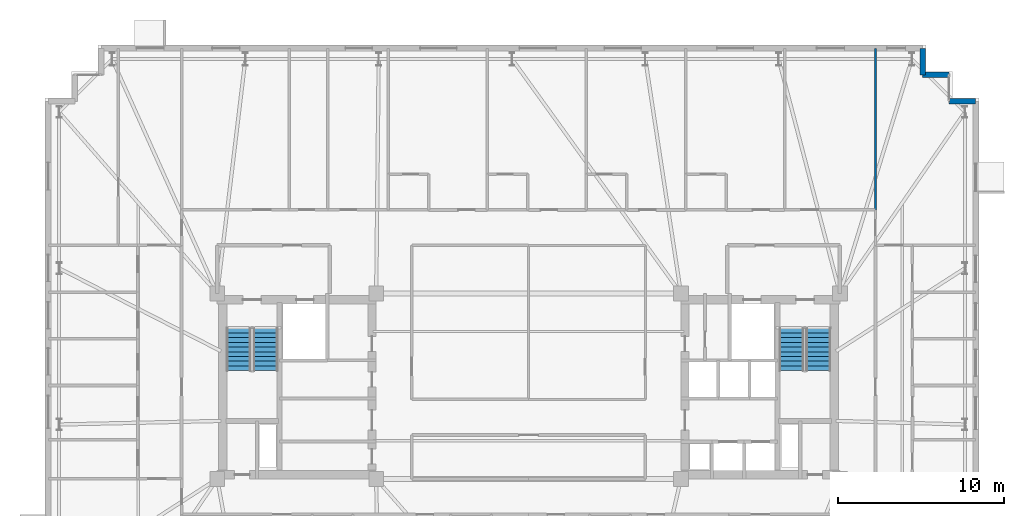
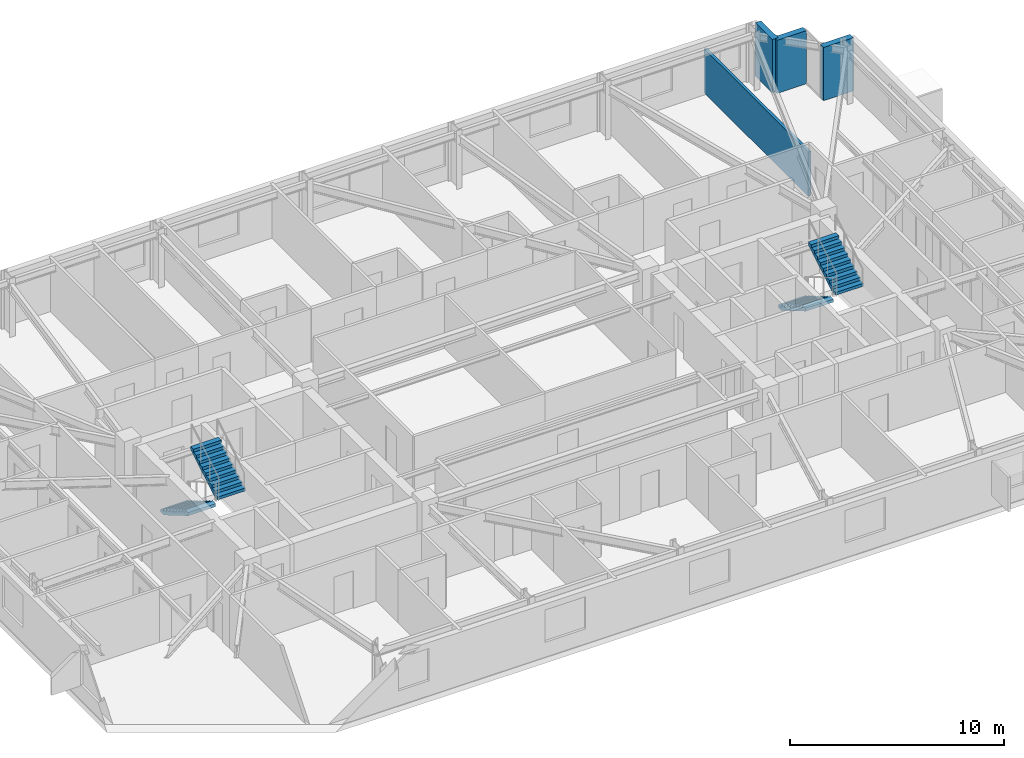
# One storey, part 16 of 18: 4 stair flights, 4 walls, 2 elements without a shape of their own.
"""IFC4 building model written with IfcOpenShell, lengths in metres."""

from ifc_helpers import new_model, si_unit, direction, frame, frame_2d, origin, place, context, subcontext, project, spatial, polyline, rectangle, outline, extrude, material, layer, layer_set, type_object, element, aggregate, save


model = new_model("IFC4")

# Units and contexts
model_context = context("Model", 3, precision=1e-05, world=origin(), true_north=direction((0.0, 1.0)))
body_context = subcontext(model_context, "Body", "Model", "MODEL_VIEW")
ifc_project = project(units=[si_unit("LENGTHUNIT", "METRE"), si_unit("AREAUNIT", "SQUARE_METRE"), si_unit("VOLUMEUNIT", "CUBIC_METRE"), si_unit("PLANEANGLEUNIT", "RADIAN"), si_unit("MASSUNIT", "GRAM", prefix="KILO")], contexts=[model_context])

# Site, building, storey
site_placement = place(None, origin())
site = spatial("IfcSite", under=ifc_project, at=site_placement, CompositionType="ELEMENT")
building_placement = place(site_placement, origin())
building = spatial("IfcBuilding", under=site, at=building_placement, Name="Qobustan Lattice House", CompositionType="ELEMENT")
storey_placement = place(building_placement, frame((0.0, 0.0, 141.050048828125)))
storey = spatial("IfcBuildingStorey", under=building, at=storey_placement, Name="L39", CompositionType="ELEMENT", Elevation=141.050048828125)

# Walls
ifc_material_1 = material(Name="Precast concrete C40/50", Category="concrete")
ifc_layer_1 = layer(ifc_material_1, 0.320068359375)
ifc_layer_set_1 = layer_set([ifc_layer_1], Name="Precast concrete C40/50")
wall_type_1 = type_object("IfcWallType", Name="WAL-EXT-STONE-320", PredefinedType="SOLIDWALL", material=ifc_layer_set_1)
for number, where, z_axis, x_axis, name in (
    (1, (23.800048828125, 20.39990234375, 0.0), (0.0, 0.0, 1.0), (0.0, -1.0, 0.0), "L39 exterior limestone-clad wall 11"),
    (2, (23.800048828125, 18.800048828125, 0.0), (0.0, 0.0, 1.0), (1.0, 0.0, 0.0), "L39 exterior limestone-clad wall 12"),
):
    element("IfcWall", number, at=place(storey_placement, frame(where, z_axis=z_axis, x_axis=x_axis)), inside=storey, type_object=wall_type_1, Name=name, PredefinedType="SOLIDWALL", context=body_context, shape_type="SweptSolid", body=[
        extrude(rectangle(XDim=1.599853515625, YDim=0.320068359375, at=frame_2d((0.7998046875, 0.0))), origin(), (0.0, 0.0, 1.0), 3.0400390625),
    ])
wall_1_placement = place(storey_placement, frame((25.39990234375, 17.199951171875, 0.0), z_axis=(0.0, 0.0, 1.0), x_axis=(1.0, 0.0, 0.0)))
element("IfcWall", 3, at=wall_1_placement, inside=storey, type_object=wall_type_1, Name="L39 exterior limestone-clad wall 14", PredefinedType="SOLIDWALL", context=body_context, shape_type="SweptSolid", body=[
    extrude(rectangle(XDim=1.60009765625, YDim=0.320068359375, at=frame_2d((0.800048828125, 0.0))), origin(), (0.0, 0.0, 1.0), 3.0400390625),
])
ifc_material_2 = material(Name="Acoustic twin-stud gypsum partition", Category="gypsum")
ifc_layer_2 = layer(ifc_material_2, 0.14990234375)
ifc_layer_set_2 = layer_set([ifc_layer_2], Name="Acoustic twin-stud gypsum partition")
wall_type_2 = type_object("IfcWallType", Name="WAL-PART-150", PredefinedType="PARTITIONING", material=ifc_layer_set_2)
wall_2_placement = place(storey_placement, frame((20.949951171875, 10.64990234375, 0.0), z_axis=(0.0, 0.0, 1.0), x_axis=(0.0, 1.0, 0.0)))
element("IfcWall", 4, at=wall_2_placement, inside=storey, type_object=wall_type_2, Name="L39 interior partition 94", PredefinedType="PARTITIONING", context=body_context, shape_type="SweptSolid", body=[
    extrude(rectangle(XDim=9.75, YDim=0.14990234375, at=frame_2d((4.875, 0.0))), origin(), (0.0, 0.0, 1.0), 2.52490234375),
])

# Stair, stair flights
ifc_material_3 = material(Name="Concrete C40/50", Category="concrete")
stair_type = type_object("IfcStairType", Name="STR-CORE-DOGLEG", PredefinedType="HALF_TURN_STAIR", material=ifc_material_3)
stair_1_placement = place(storey_placement, origin())
stair_1 = element("IfcStair", 5, at=stair_1_placement, inside=storey, type_object=stair_type, Name="L39 West protected exit stair ST-W1", PredefinedType="HALF_TURN_STAIR")
ifc_material_4 = material(Name="Concrete C40/50", Category="concrete")
stair_flight_type = type_object("IfcStairFlightType", Name="SFL-RC-1500", PredefinedType="STRAIGHT", material=ifc_material_4)
stair_flight_1_placement = place(storey_placement, frame((-17.5, 3.5, 0.0), z_axis=(0.0, 0.0, 1.0), x_axis=(0.0, -1.0, 0.0)))
stair_flight_1 = element("IfcStairFlight", 6, at=stair_flight_1_placement, type_object=stair_flight_type, Name="ST-W1 flight 1", NumberOfRisers=10, NumberOfTreads=9, PredefinedType="STRAIGHT", RiserHeight=0.1675, TreadLength=0.285, context=body_context, shape_type="SweptSolid", body=[
    extrude(outline(polyline([(0.0, 0.0), (0.0, 0.16748046875), (0.284912109375, 0.16748046875), (0.284912109375, 0.3349609375), (0.570068359375, 0.3349609375), (0.570068359375, 0.50244140625), (0.85498046875, 0.50244140625), (0.85498046875, 0.669921875), (1.139892578125, 0.669921875), (1.139892578125, 0.83740234375), (1.425048828125, 0.83740234375), (1.425048828125, 1.0048828125), (1.7099609375, 1.0048828125), (1.7099609375, 1.172607421875), (1.9951171875, 1.172607421875), (1.9951171875, 1.340087890625), (2.280029296875, 1.340087890625), (2.280029296875, 1.507568359375), (2.56494140625, 1.507568359375), (2.56494140625, 1.675048828125), (2.56494140625, 1.333740234375), (0.2958984375, 0.0), (0.0, 0.0)])), frame((0.0, 0.75, 0.0), z_axis=(0.0, -1.0, 0.0), x_axis=(1.0, 0.0, 0.0)), (0.0, 0.0, 1.0), 1.5),
])
stair_flight_2_placement = place(storey_placement, frame((-15.8798828125, 0.93505859375, 1.675048828125), z_axis=(0.0, 0.0, 1.0), x_axis=(0.0, 1.0, 0.0)))
stair_flight_2 = element("IfcStairFlight", 7, at=stair_flight_2_placement, type_object=stair_flight_type, Name="ST-W1 flight 2", NumberOfRisers=10, NumberOfTreads=9, PredefinedType="STRAIGHT", RiserHeight=0.1675, TreadLength=0.285, context=body_context, shape_type="SweptSolid", body=[
    extrude(outline(polyline([(0.0, 0.0), (0.0, 0.16748046875), (0.284912109375, 0.16748046875), (0.284912109375, 0.3349609375), (0.570068359375, 0.3349609375), (0.570068359375, 0.50244140625), (0.85498046875, 0.50244140625), (0.85498046875, 0.669921875), (1.139892578125, 0.669921875), (1.139892578125, 0.83740234375), (1.425048828125, 0.83740234375), (1.425048828125, 1.0048828125), (1.7099609375, 1.0048828125), (1.7099609375, 1.172607421875), (1.9951171875, 1.172607421875), (1.9951171875, 1.340087890625), (2.280029296875, 1.340087890625), (2.280029296875, 1.507568359375), (2.56494140625, 1.507568359375), (2.56494140625, 1.675048828125), (2.56494140625, 1.333740234375), (0.2958984375, 0.0), (0.0, 0.0)])), frame((0.0, 0.75, 0.0), z_axis=(0.0, -1.0, 0.0), x_axis=(1.0, 0.0, 0.0)), (0.0, 0.0, 1.0), 1.5),
])
aggregate(stair_1, [stair_flight_1, stair_flight_2])

stair_2_placement = place(storey_placement, origin())
stair_2 = element("IfcStair", 8, at=stair_2_placement, inside=storey, type_object=stair_type, Name="L39 East protected exit stair ST-E1", PredefinedType="HALF_TURN_STAIR")
stair_flight_3_placement = place(storey_placement, frame((15.8798828125, 3.5, 0.0), z_axis=(0.0, 0.0, 1.0), x_axis=(0.0, -1.0, 0.0)))
stair_flight_3 = element("IfcStairFlight", 9, at=stair_flight_3_placement, type_object=stair_flight_type, Name="ST-E1 flight 1", NumberOfRisers=10, NumberOfTreads=9, PredefinedType="STRAIGHT", RiserHeight=0.1675, TreadLength=0.285, context=body_context, shape_type="SweptSolid", body=[
    extrude(outline(polyline([(0.0, 0.0), (0.0, 0.16748046875), (0.284912109375, 0.16748046875), (0.284912109375, 0.3349609375), (0.570068359375, 0.3349609375), (0.570068359375, 0.50244140625), (0.85498046875, 0.50244140625), (0.85498046875, 0.669921875), (1.139892578125, 0.669921875), (1.139892578125, 0.83740234375), (1.425048828125, 0.83740234375), (1.425048828125, 1.0048828125), (1.7099609375, 1.0048828125), (1.7099609375, 1.172607421875), (1.9951171875, 1.172607421875), (1.9951171875, 1.340087890625), (2.280029296875, 1.340087890625), (2.280029296875, 1.507568359375), (2.56494140625, 1.507568359375), (2.56494140625, 1.675048828125), (2.56494140625, 1.333740234375), (0.2958984375, 0.0), (0.0, 0.0)])), frame((0.0, 0.75, 0.0), z_axis=(0.0, -1.0, 0.0), x_axis=(1.0, 0.0, 0.0)), (0.0, 0.0, 1.0), 1.5),
])
stair_flight_4_placement = place(storey_placement, frame((17.5, 0.93505859375, 1.675048828125), z_axis=(0.0, 0.0, 1.0), x_axis=(0.0, 1.0, 0.0)))
stair_flight_4 = element("IfcStairFlight", 10, at=stair_flight_4_placement, type_object=stair_flight_type, Name="ST-E1 flight 2", NumberOfRisers=10, NumberOfTreads=9, PredefinedType="STRAIGHT", RiserHeight=0.1675, TreadLength=0.285, context=body_context, shape_type="SweptSolid", body=[
    extrude(outline(polyline([(0.0, 0.0), (0.0, 0.16748046875), (0.284912109375, 0.16748046875), (0.284912109375, 0.3349609375), (0.570068359375, 0.3349609375), (0.570068359375, 0.50244140625), (0.85498046875, 0.50244140625), (0.85498046875, 0.669921875), (1.139892578125, 0.669921875), (1.139892578125, 0.83740234375), (1.425048828125, 0.83740234375), (1.425048828125, 1.0048828125), (1.7099609375, 1.0048828125), (1.7099609375, 1.172607421875), (1.9951171875, 1.172607421875), (1.9951171875, 1.340087890625), (2.280029296875, 1.340087890625), (2.280029296875, 1.507568359375), (2.56494140625, 1.507568359375), (2.56494140625, 1.675048828125), (2.56494140625, 1.333740234375), (0.2958984375, 0.0), (0.0, 0.0)])), frame((0.0, 0.75, 0.0), z_axis=(0.0, -1.0, 0.0), x_axis=(1.0, 0.0, 0.0)), (0.0, 0.0, 1.0), 1.5),
])
aggregate(stair_2, [stair_flight_3, stair_flight_4])

save(model, "model.ifc")
